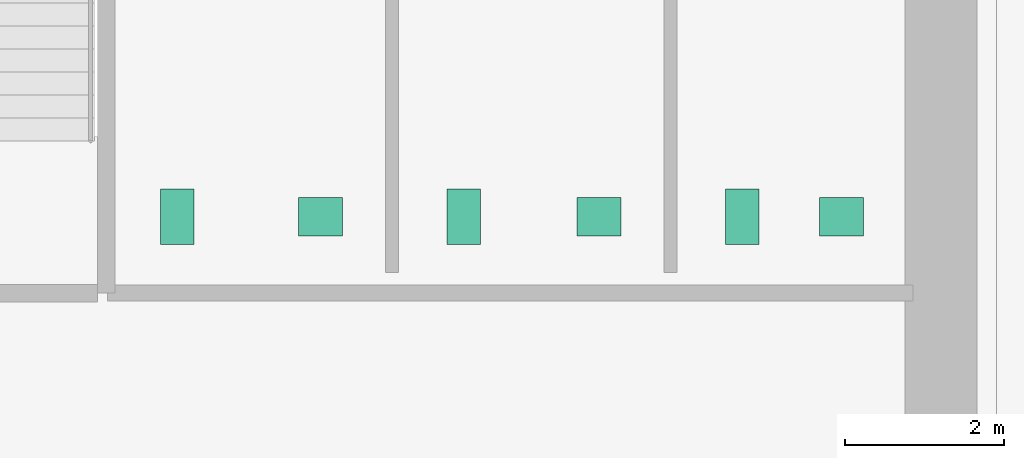
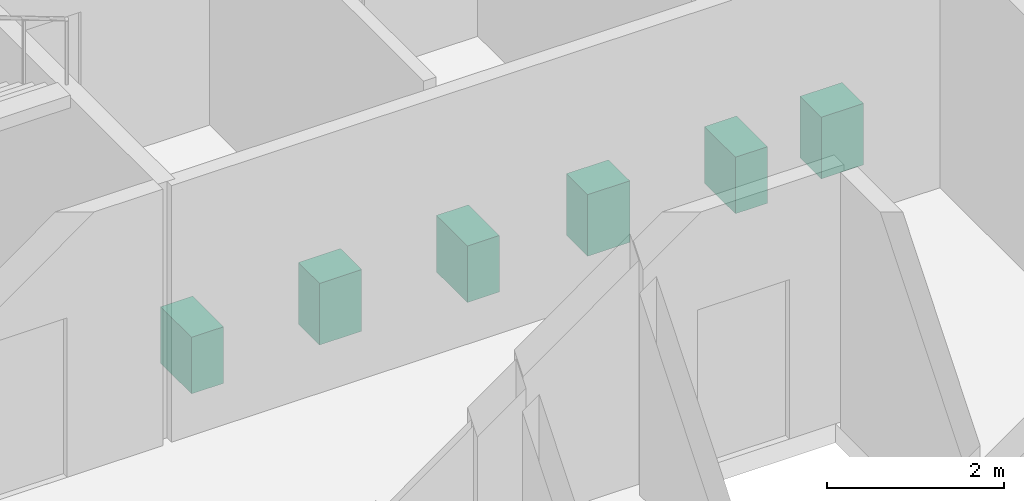
# One storey, part 14 of 14: 6 sanitary terminals.
"""IFC4 building model written with IfcOpenShell, lengths in metres."""

from ifc_helpers import new_model, si_unit, direction, frame, origin, origin_2d, place, context, subcontext, project, spatial, rectangle, extrude, material, type_object, element, save


model = new_model("IFC4")

# Units and contexts
model_context = context("Model", 3, precision=1e-05, world=origin(), true_north=direction((0.0, 1.0)))
body_context = subcontext(model_context, "Body", "Model", "MODEL_VIEW")
ifc_project = project(units=[si_unit("LENGTHUNIT", "METRE"), si_unit("AREAUNIT", "SQUARE_METRE"), si_unit("VOLUMEUNIT", "CUBIC_METRE"), si_unit("PLANEANGLEUNIT", "RADIAN"), si_unit("MASSUNIT", "GRAM", prefix="KILO")], contexts=[model_context])

# Site, building, storey
site_placement = place(None, origin())
site = spatial("IfcSite", under=ifc_project, at=site_placement, CompositionType="ELEMENT")
building_placement = place(site_placement, origin())
building = spatial("IfcBuilding", under=site, at=building_placement, Name="Norrvale University Quadrangle", CompositionType="ELEMENT")
storey_placement = place(building_placement, frame((0.0, 0.0, 62.199951171875)))
storey = spatial("IfcBuildingStorey", under=building, at=storey_placement, Name="L15", CompositionType="ELEMENT", Elevation=62.199951171875)

# Sanitary terminals
ifc_material = material(Name="Vitreous China Sanitaryware")
sanitary_terminal_type_1 = type_object("IfcSanitaryTerminalType", Name="Sanitary Wash Basin", PredefinedType="WASHHANDBASIN", material=ifc_material)
for number, where, z_axis, x_axis, name in (
    (1, (9.0, 41.10009765625, 0.0), (0.0, 0.0, 1.0), (1.0, 0.0, 0.0), "Accessible Countertop Washbasin L15-1"),
    (2, (12.5, 41.10009765625, 0.0), (0.0, 0.0, 1.0), (1.0, 0.0, 0.0), "Accessible Countertop Washbasin L15-2"),
    (3, (15.550048828125, 41.10009765625, 0.0), (0.0, 0.0, 1.0), (1.0, 0.0, 0.0), "Accessible Countertop Washbasin L15-3"),
):
    element("IfcSanitaryTerminal", number, at=place(storey_placement, frame(where, z_axis=z_axis, x_axis=x_axis)), inside=storey, type_object=sanitary_terminal_type_1, Name=name, PredefinedType="WASHHANDBASIN", context=body_context, shape_type="SweptSolid", body=[
        extrude(rectangle(XDim=0.550048828125, YDim=0.47998046875, at=origin_2d()), origin(), (0.0, 0.0, 1.0), 0.85009765625),
    ])
sanitary_terminal_type_2 = type_object("IfcSanitaryTerminalType", Name="Sanitary Water Closet", PredefinedType="TOILETPAN", material=ifc_material)
for number, where, z_axis, x_axis, name in (
    (4, (7.199951171875, 41.10009765625, 0.0), (0.0, 0.0, 1.0), (1.0, 0.0, 0.0), "Wall-Hung Water Closet L15-1"),
    (5, (10.800048828125, 41.10009765625, 0.0), (0.0, 0.0, 1.0), (1.0, 0.0, 0.0), "Wall-Hung Water Closet L15-2"),
    (6, (14.300048828125, 41.10009765625, 0.0), (0.0, 0.0, 1.0), (1.0, 0.0, 0.0), "Wall-Hung Water Closet L15-3"),
):
    element("IfcSanitaryTerminal", number, at=place(storey_placement, frame(where, z_axis=z_axis, x_axis=x_axis)), inside=storey, type_object=sanitary_terminal_type_2, Name=name, PredefinedType="TOILETPAN", context=body_context, shape_type="SweptSolid", body=[
        extrude(rectangle(XDim=0.419921875, YDim=0.699951171875, at=origin_2d()), origin(), (0.0, 0.0, 1.0), 0.780029296875),
    ])

save(model, "model.ifc")
